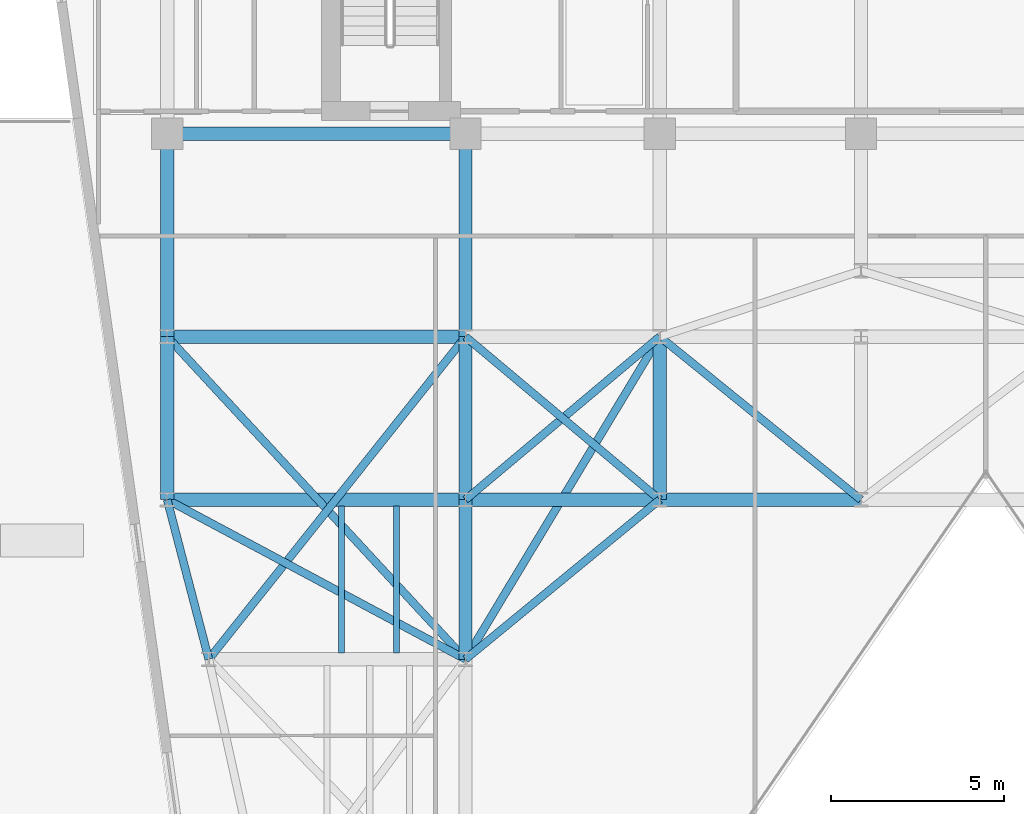
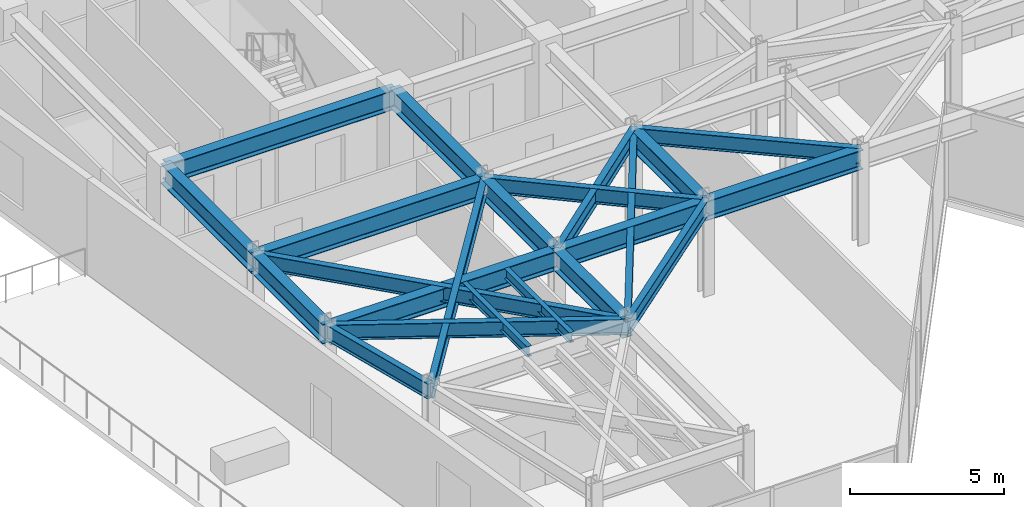
# One storey, part 5 of 21: 22 beams.
"""IFC4 building model written with IfcOpenShell, lengths in metres."""

from ifc_helpers import new_model, si_unit, direction, frame, origin, origin_2d, place, context, subcontext, project, spatial, i_section, extrude, material, material_profile, profile_set, type_object, element, save


model = new_model("IFC4")

# Units and contexts
model_context = context("Model", 3, precision=1e-05, world=origin(), true_north=direction((0.0, 1.0)))
body_context = subcontext(model_context, "Body", "Model", "MODEL_VIEW")
ifc_project = project(units=[si_unit("LENGTHUNIT", "METRE"), si_unit("AREAUNIT", "SQUARE_METRE"), si_unit("VOLUMEUNIT", "CUBIC_METRE"), si_unit("PLANEANGLEUNIT", "RADIAN"), si_unit("MASSUNIT", "GRAM", prefix="KILO")], contexts=[model_context])

# Site, building, storey
site_placement = place(None, origin())
site = spatial("IfcSite", under=ifc_project, at=site_placement, CompositionType="ELEMENT")
building_placement = place(site_placement, origin())
building = spatial("IfcBuilding", under=site, at=building_placement, Name="Kravanh Interchange Tower", CompositionType="ELEMENT")
storey_placement = place(building_placement, frame((0.0, 0.0, 160.5)))
storey = spatial("IfcBuildingStorey", under=building, at=storey_placement, Name="L38", CompositionType="ELEMENT", Elevation=160.5)

# Beams
ifc_material_1 = material(Name="Structural Steel S355", Category="steel")
ifc_material_profile_1 = material_profile(ifc_material_1, i_section(OverallWidth=0.381103515625, OverallDepth=0.77294921875, WebThickness=0.0166015625, FlangeThickness=0.027099609375, FilletRadius=0.02490234375, at=origin_2d()), Name="W30X173")
ifc_profile_set_1 = profile_set([ifc_material_profile_1], Name="Structural Steel S355")
beam_type_1 = type_object("IfcBeamType", Name="Floor Beam W30X173 Structural Steel S355", PredefinedType="BEAM", material=ifc_profile_set_1)
beam_1_placement = place(storey_placement, frame((27.199951171875, 37.35009765625, 3.368408203125), z_axis=(0.0, -1.0, 0.0), x_axis=(1.0, 0.0, 0.0)))
element("IfcBeam", 1, at=beam_1_placement, inside=storey, type_object=beam_type_1, Name="L38 Primary Floor Girder 24", PredefinedType="BEAM", context=body_context, shape_type="SweptSolid", body=[
    extrude(i_section(OverallWidth=0.381103515625, OverallDepth=0.77294921875, WebThickness=0.0166015625, FlangeThickness=0.027099609375, FilletRadius=0.02490234375, at=origin_2d()), origin(), (0.0, 0.0, 1.0), 5.85009765625),
])
beam_2_placement = place(storey_placement, frame((27.199951171875, 37.35009765625, 3.368408203125), z_axis=(-1.0, 0.0, 0.0), x_axis=(0.0, -1.0, 0.0)))
element("IfcBeam", 2, at=beam_2_placement, inside=storey, type_object=beam_type_1, Name="L38 Primary Floor Girder 25", PredefinedType="BEAM", context=body_context, shape_type="SweptSolid", body=[
    extrude(i_section(OverallWidth=0.381103515625, OverallDepth=0.77294921875, WebThickness=0.0166015625, FlangeThickness=0.027099609375, FilletRadius=0.02490234375, at=origin_2d()), origin(), (0.0, 0.0, 1.0), 8.599853515625),
])
beam_3_placement = place(storey_placement, frame((18.60009765625, 37.35009765625, 3.368408203125), z_axis=(0.0, -1.0, 0.0), x_axis=(1.0, 0.0, 0.0)))
element("IfcBeam", 3, at=beam_3_placement, inside=storey, type_object=beam_type_1, Name="L38 Primary Floor Girder 28", PredefinedType="BEAM", context=body_context, shape_type="SweptSolid", body=[
    extrude(i_section(OverallWidth=0.381103515625, OverallDepth=0.77294921875, WebThickness=0.0166015625, FlangeThickness=0.027099609375, FilletRadius=0.02490234375, at=origin_2d()), origin(), (0.0, 0.0, 1.0), 5.85009765625),
])
beam_4_placement = place(storey_placement, frame((18.60009765625, 26.800048828125, 3.368408203125), z_axis=(0.0, 1.0, 0.0), x_axis=(-1.0, 0.0, 0.0)))
element("IfcBeam", 4, at=beam_4_placement, inside=storey, type_object=beam_type_1, Name="L38 Primary Floor Girder 33", PredefinedType="BEAM", context=body_context, shape_type="SweptSolid", body=[
    extrude(i_section(OverallWidth=0.381103515625, OverallDepth=0.77294921875, WebThickness=0.0166015625, FlangeThickness=0.027099609375, FilletRadius=0.02490234375, at=origin_2d()), origin(), (0.0, 0.0, 1.0), 4.699951171875),
])
beam_5_placement = place(storey_placement, frame((18.60009765625, 26.800048828125, 3.368408203125), z_axis=(1.0, 0.0, 0.0), x_axis=(0.0, 1.0, 0.0)))
element("IfcBeam", 5, at=beam_5_placement, inside=storey, type_object=beam_type_1, Name="L38 Primary Floor Girder 35", PredefinedType="BEAM", context=body_context, shape_type="SweptSolid", body=[
    extrude(i_section(OverallWidth=0.381103515625, OverallDepth=0.77294921875, WebThickness=0.0166015625, FlangeThickness=0.027099609375, FilletRadius=0.02490234375, at=origin_2d()), origin(), (0.0, 0.0, 1.0), 8.599853515625),
])
beam_6_placement = place(storey_placement, frame((27.199951171875, 26.800048828125, 3.368408203125), z_axis=(0.0, -1.0, 0.0), x_axis=(1.0, 0.0, 0.0)))
element("IfcBeam", 6, at=beam_6_placement, inside=storey, type_object=beam_type_1, Name="L38 Primary Floor Girder 37", PredefinedType="BEAM", context=body_context, shape_type="SweptSolid", body=[
    extrude(i_section(OverallWidth=0.381103515625, OverallDepth=0.77294921875, WebThickness=0.0166015625, FlangeThickness=0.027099609375, FilletRadius=0.02490234375, at=origin_2d()), origin(), (0.0, 0.0, 1.0), 4.60009765625),
])
beam_7_placement = place(storey_placement, frame((27.199951171875, 26.800048828125, 3.368408203125), z_axis=(0.0, 1.0, 0.0), x_axis=(-1.0, 0.0, 0.0)))
element("IfcBeam", 7, at=beam_7_placement, inside=storey, type_object=beam_type_1, Name="L38 Primary Floor Girder 38", PredefinedType="BEAM", context=body_context, shape_type="SweptSolid", body=[
    extrude(i_section(OverallWidth=0.381103515625, OverallDepth=0.77294921875, WebThickness=0.0166015625, FlangeThickness=0.027099609375, FilletRadius=0.02490234375, at=origin_2d()), origin(), (0.0, 0.0, 1.0), 4.699951171875),
])
beam_8_placement = place(storey_placement, frame((27.199951171875, 26.800048828125, 3.368408203125), z_axis=(1.0, 0.0, 0.0), x_axis=(0.0, 1.0, 0.0)))
element("IfcBeam", 8, at=beam_8_placement, inside=storey, type_object=beam_type_1, Name="L38 Primary Floor Girder 39", PredefinedType="BEAM", context=body_context, shape_type="SweptSolid", body=[
    extrude(i_section(OverallWidth=0.381103515625, OverallDepth=0.77294921875, WebThickness=0.0166015625, FlangeThickness=0.027099609375, FilletRadius=0.02490234375, at=origin_2d()), origin(), (0.0, 0.0, 1.0), 5.60009765625),
])
beam_9_placement = place(storey_placement, frame((32.800048828125, 26.800048828125, 3.368408203125), z_axis=(0.0, 1.0, 0.0), x_axis=(-1.0, 0.0, 0.0)))
element("IfcBeam", 9, at=beam_9_placement, inside=storey, type_object=beam_type_1, Name="L38 Primary Floor Girder 41", PredefinedType="BEAM", context=body_context, shape_type="SweptSolid", body=[
    extrude(i_section(OverallWidth=0.381103515625, OverallDepth=0.77294921875, WebThickness=0.0166015625, FlangeThickness=0.027099609375, FilletRadius=0.02490234375, at=origin_2d()), origin(), (0.0, 0.0, 1.0), 4.699951171875),
])
beam_10_placement = place(storey_placement, frame((32.800048828125, 26.800048828125, 3.368408203125), z_axis=(1.0, 0.0, 0.0), x_axis=(0.0, 1.0, 0.0)))
element("IfcBeam", 10, at=beam_10_placement, inside=storey, type_object=beam_type_1, Name="L38 Primary Floor Girder 42", PredefinedType="BEAM", context=body_context, shape_type="SweptSolid", body=[
    extrude(i_section(OverallWidth=0.381103515625, OverallDepth=0.77294921875, WebThickness=0.0166015625, FlangeThickness=0.027099609375, FilletRadius=0.02490234375, at=origin_2d()), origin(), (0.0, 0.0, 1.0), 5.800048828125),
])
beam_11_placement = place(storey_placement, frame((18.60009765625, 31.5, 3.368408203125), z_axis=(1.0, 0.0, 0.0), x_axis=(0.0, 1.0, 0.0)))
element("IfcBeam", 11, at=beam_11_placement, inside=storey, type_object=beam_type_1, Name="L38 Primary Floor Girder 61", PredefinedType="BEAM", context=body_context, shape_type="SweptSolid", body=[
    extrude(i_section(OverallWidth=0.381103515625, OverallDepth=0.77294921875, WebThickness=0.0166015625, FlangeThickness=0.027099609375, FilletRadius=0.02490234375, at=origin_2d()), origin(), (0.0, 0.0, 1.0), 8.599853515625),
])
ifc_material_2 = material(Name="Structural Steel S355", Category="steel")
ifc_material_profile_2 = material_profile(ifc_material_2, i_section(OverallWidth=0.177978515625, OverallDepth=0.406005859375, WebThickness=0.0078125, FlangeThickness=0.0126953125, FilletRadius=0.01611328125, at=origin_2d()), Name="W16X40")
ifc_profile_set_2 = profile_set([ifc_material_profile_2], Name="Structural Steel S355")
beam_type_2 = type_object("IfcBeamType", Name="Floor Joist W16X40 Structural Steel S355", PredefinedType="JOIST", material=ifc_profile_set_2)
for number, where, z_axis, x_axis, name in (
    (12, (23.6220703125, 22.385498046875, 3.552001953125), (0.0, 1.0, 0.0), (-1.0, 0.0, 0.0), "L38 Secondary Floor Joist 8"),
    (13, (25.2080078125, 22.385498046875, 3.552001953125), (0.0, 1.0, 0.0), (-1.0, 0.0, 0.0), "L38 Secondary Floor Joist 9"),
):
    element("IfcBeam", number, at=place(storey_placement, frame(where, z_axis=z_axis, x_axis=x_axis)), inside=storey, type_object=beam_type_2, Name=name, PredefinedType="JOIST", context=body_context, shape_type="SweptSolid", body=[
        extrude(i_section(OverallWidth=0.177978515625, OverallDepth=0.406005859375, WebThickness=0.0078125, FlangeThickness=0.0126953125, FilletRadius=0.01611328125, at=origin_2d()), origin(), (0.0, 0.0, 1.0), 4.22900390625),
    ])
ifc_material_3 = material(Name="Structural Steel S355", Category="steel")
ifc_material_profile_3 = material_profile(ifc_material_3, i_section(OverallWidth=0.22802734375, OverallDepth=0.60791015625, WebThickness=0.01123046875, FlangeThickness=0.017333984375, FilletRadius=0.02197265625, at=origin_2d()), Name="W24X76")
ifc_profile_set_3 = profile_set([ifc_material_profile_3], Name="Structural Steel S355")
beam_type_3 = type_object("IfcBeamType", Name="Floor Spandrel W24X76 Structural Steel S355", PredefinedType="SPANDREL", material=ifc_profile_set_3)
beam_12_placement = place(storey_placement, frame((18.60009765625, 26.800048828125, 3.450927734375), z_axis=(0.252407263364, -0.967621089787, 0.0), x_axis=(0.967621089787, 0.252407263364, 0.0)))
element("IfcBeam", 14, at=beam_12_placement, inside=storey, type_object=beam_type_3, Name="L38 Perimeter Spandrel 34", PredefinedType="SPANDREL", context=body_context, shape_type="SweptSolid", body=[
    extrude(i_section(OverallWidth=0.22802734375, OverallDepth=0.60791015625, WebThickness=0.01123046875, FlangeThickness=0.017333984375, FilletRadius=0.02197265625, at=origin_2d()), origin(), (0.0, 0.0, 1.0), 4.75390625),
])
beam_13_placement = place(storey_placement, frame((18.60009765625, 26.800048828125, 3.450927734375), z_axis=(0.881777136221, -0.471666282489, 0.0), x_axis=(0.471666282489, 0.881777136221, 0.0)))
element("IfcBeam", 15, at=beam_13_placement, inside=storey, type_object=beam_type_3, Name="L38 Perimeter Spandrel 36", PredefinedType="SPANDREL", context=body_context, shape_type="SweptSolid", body=[
    extrude(i_section(OverallWidth=0.22802734375, OverallDepth=0.60791015625, WebThickness=0.01123046875, FlangeThickness=0.017333984375, FilletRadius=0.02197265625, at=origin_2d()), origin(), (0.0, 0.0, 1.0), 9.7529296875),
])
beam_14_placement = place(storey_placement, frame((27.199951171875, 26.800048828125, 3.450927734375), z_axis=(0.765983062929, 0.642860752657, 0.0), x_axis=(-0.642860752657, 0.765983062929, 0.0)))
element("IfcBeam", 16, at=beam_14_placement, inside=storey, type_object=beam_type_3, Name="L38 Perimeter Spandrel 40", PredefinedType="SPANDREL", context=body_context, shape_type="SweptSolid", body=[
    extrude(i_section(OverallWidth=0.22802734375, OverallDepth=0.60791015625, WebThickness=0.01123046875, FlangeThickness=0.017333984375, FilletRadius=0.02197265625, at=origin_2d()), origin(), (0.0, 0.0, 1.0), 7.31103515625),
])
beam_15_placement = place(storey_placement, frame((32.800048828125, 26.800048828125, 3.450927734375), z_axis=(-0.772725074305, -0.634740860147, 0.0), x_axis=(0.634740860147, -0.772725074305, 0.0)))
element("IfcBeam", 17, at=beam_15_placement, inside=storey, type_object=beam_type_3, Name="L38 Perimeter Spandrel 43", PredefinedType="SPANDREL", context=body_context, shape_type="SweptSolid", body=[
    extrude(i_section(OverallWidth=0.22802734375, OverallDepth=0.60791015625, WebThickness=0.01123046875, FlangeThickness=0.017333984375, FilletRadius=0.02197265625, at=origin_2d()), origin(), (0.0, 0.0, 1.0), 7.247314453125),
])
beam_16_placement = place(storey_placement, frame((32.800048828125, 26.800048828125, 3.450927734375), z_axis=(-0.765983062929, 0.642860752657, 0.0), x_axis=(-0.642860752657, -0.765983062929, 0.0)))
element("IfcBeam", 18, at=beam_16_placement, inside=storey, type_object=beam_type_3, Name="L38 Perimeter Spandrel 44", PredefinedType="SPANDREL", context=body_context, shape_type="SweptSolid", body=[
    extrude(i_section(OverallWidth=0.22802734375, OverallDepth=0.60791015625, WebThickness=0.01123046875, FlangeThickness=0.017333984375, FilletRadius=0.02197265625, at=origin_2d()), origin(), (0.0, 0.0, 1.0), 7.31103515625),
])
beam_17_placement = place(storey_placement, frame((38.60009765625, 26.800048828125, 3.450927734375), z_axis=(-0.776938619557, 0.629576350764, 0.0), x_axis=(-0.629576350764, -0.776938619557, 0.0)))
element("IfcBeam", 19, at=beam_17_placement, inside=storey, type_object=beam_type_3, Name="L38 Perimeter Spandrel 46", PredefinedType="SPANDREL", context=body_context, shape_type="SweptSolid", body=[
    extrude(i_section(OverallWidth=0.22802734375, OverallDepth=0.60791015625, WebThickness=0.01123046875, FlangeThickness=0.017333984375, FilletRadius=0.02197265625, at=origin_2d()), origin(), (0.0, 0.0, 1.0), 7.46533203125),
])
beam_18_placement = place(storey_placement, frame((18.60009765625, 31.5, 3.450927734375), z_axis=(0.678927458783, -0.734205356634, 0.0), x_axis=(0.734205356634, 0.678927458783, 0.0)))
element("IfcBeam", 20, at=beam_18_placement, inside=storey, type_object=beam_type_3, Name="L38 Perimeter Spandrel 63", PredefinedType="SPANDREL", context=body_context, shape_type="SweptSolid", body=[
    extrude(i_section(OverallWidth=0.22802734375, OverallDepth=0.60791015625, WebThickness=0.01123046875, FlangeThickness=0.017333984375, FilletRadius=0.02197265625, at=origin_2d()), origin(), (0.0, 0.0, 1.0), 12.666748046875),
])
beam_19_placement = place(storey_placement, frame((27.199951171875, 31.5, 3.450927734375), z_axis=(-0.622633646541, -0.782513477324, 0.0), x_axis=(0.782513477324, -0.622633646541, 0.0)))
element("IfcBeam", 21, at=beam_19_placement, inside=storey, type_object=beam_type_3, Name="L38 Perimeter Spandrel 66", PredefinedType="SPANDREL", context=body_context, shape_type="SweptSolid", body=[
    extrude(i_section(OverallWidth=0.22802734375, OverallDepth=0.60791015625, WebThickness=0.01123046875, FlangeThickness=0.017333984375, FilletRadius=0.02197265625, at=origin_2d()), origin(), (0.0, 0.0, 1.0), 11.884765625),
])
beam_20_placement = place(storey_placement, frame((32.800048828125, 31.5, 3.450927734375), z_axis=(-0.515854375109, -0.856676288735, 0.0), x_axis=(0.856676288735, -0.515854375109, 0.0)))
element("IfcBeam", 22, at=beam_20_placement, inside=storey, type_object=beam_type_3, Name="L38 Perimeter Spandrel 69", PredefinedType="SPANDREL", context=body_context, shape_type="SweptSolid", body=[
    extrude(i_section(OverallWidth=0.22802734375, OverallDepth=0.60791015625, WebThickness=0.01123046875, FlangeThickness=0.017333984375, FilletRadius=0.02197265625, at=origin_2d()), origin(), (0.0, 0.0, 1.0), 10.85595703125),
])

save(model, "model.ifc")
